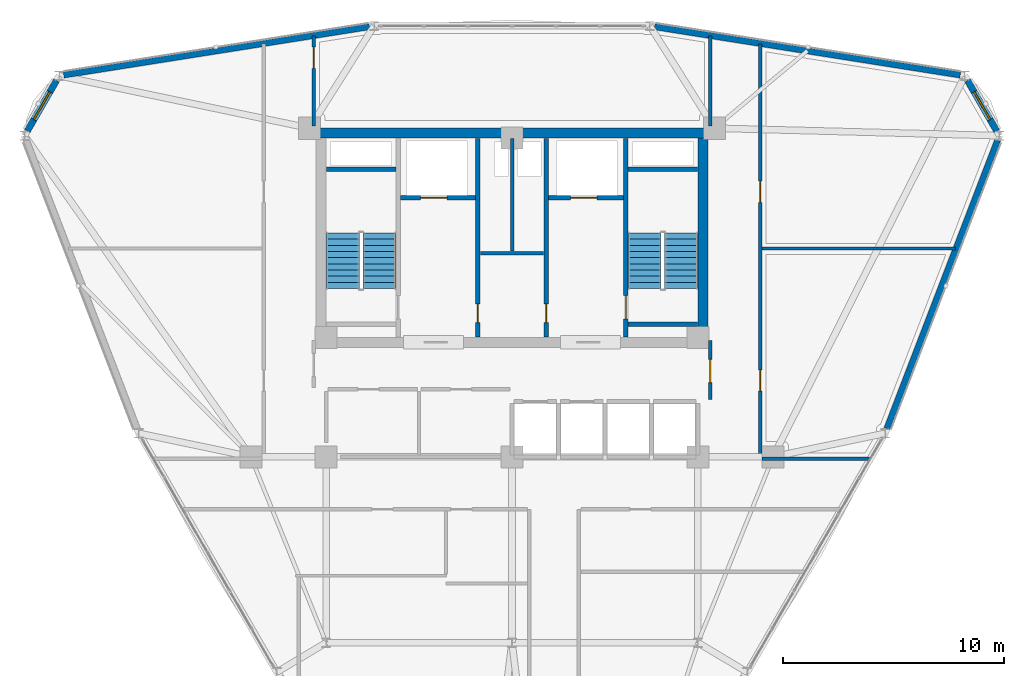
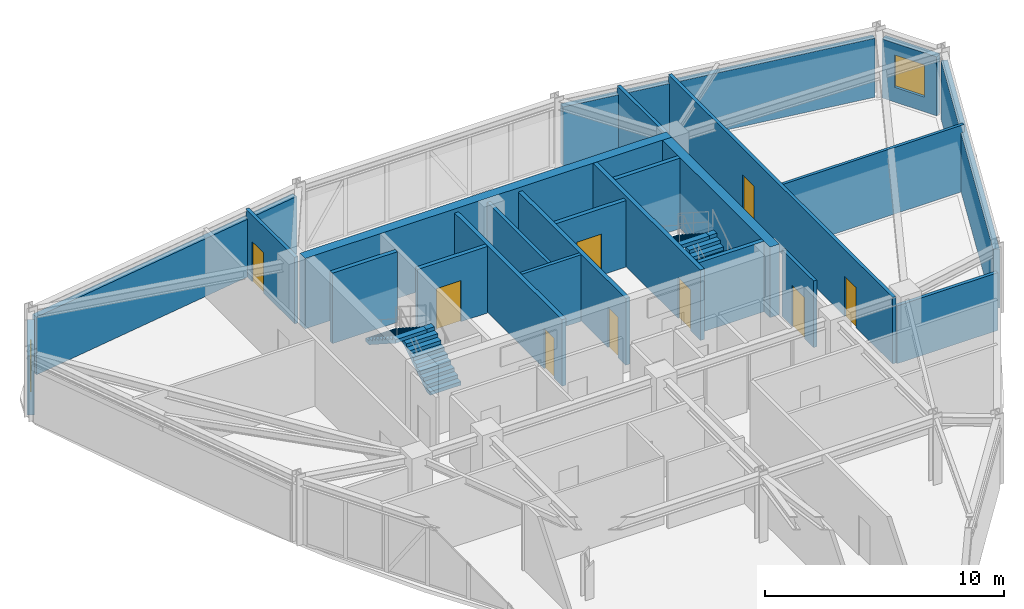
# One storey, part 11 of 14: 23 walls, 9 doors, 4 stair flights, 2 windows, 11 openings, 2 elements without a shape of their own.
"""IFC4 building model written with IfcOpenShell, lengths in metres."""

from ifc_helpers import new_model, si_unit, derived_unit, direction, frame, frame_2d, origin, place, context, subcontext, project, spatial, polyline, rectangle, outline, extrude, material, layer, layer_set, type_object, element, fill, aggregate, save


model = new_model("IFC4")

# Units and contexts
model_context = context("Model", 3, precision=1e-05, world=origin(), true_north=direction((0.0, 1.0)))
body_context = subcontext(model_context, "Body", "Model", "MODEL_VIEW")
ifc_project = project(units=[si_unit("LENGTHUNIT", "METRE"), si_unit("AREAUNIT", "SQUARE_METRE"), si_unit("VOLUMEUNIT", "CUBIC_METRE"), si_unit("PLANEANGLEUNIT", "RADIAN"), si_unit("MASSUNIT", "GRAM", prefix="KILO"), derived_unit("THERMALTRANSMITTANCEUNIT", [(si_unit("POWERUNIT", "WATT"), 1), (si_unit("LENGTHUNIT", "METRE"), -2), (si_unit("THERMODYNAMICTEMPERATUREUNIT", "KELVIN"), -1)])], contexts=[model_context])

# Site, building, storey
site_placement = place(None, origin())
site = spatial("IfcSite", under=ifc_project, at=site_placement, CompositionType="ELEMENT")
building_placement = place(site_placement, origin())
building = spatial("IfcBuilding", under=site, at=building_placement, Name="Korsvarv Bourse and Concert Hall", CompositionType="ELEMENT")
storey_placement = place(building_placement, frame((0.0, 0.0, 193.800048828125)))
storey = spatial("IfcBuildingStorey", under=building, at=storey_placement, Name="L50", CompositionType="ELEMENT", Elevation=193.800048828125)

# Wall
ifc_material_1 = material(Name="Concrete C50/60", Category="concrete")
ifc_layer_1 = layer(ifc_material_1, 0.3798828125)
ifc_layer_set_1 = layer_set([ifc_layer_1], Name="Concrete C50/60")
wall_type_1 = type_object("IfcWallType", Name="WL-CORE-380", PredefinedType="SHEAR", material=ifc_layer_set_1)
wall_1_placement = place(storey_placement, frame((27.610107421875, 45.39990234375, 0.0), z_axis=(0.0, 0.0, 1.0), x_axis=(1.0, 0.0, 0.0)))
element("IfcWall", 1, at=wall_1_placement, inside=storey, type_object=wall_type_1, Name="L50 stair shaft structural wall W-L50-ST1-N", PredefinedType="SHEAR", context=body_context, shape_type="SweptSolid", body=[
    extrude(rectangle(XDim=3.139892578125, YDim=0.199951171875, at=frame_2d((1.56982421875, 0.0))), origin(), (0.0, 0.0, 1.0), 3.599853515625),
])

# Wall, opening, door
wall_2_placement = place(storey_placement, frame((41.139892578125, 37.81005859375, 0.0), z_axis=(0.0, 0.0, 1.0), x_axis=(0.0, 1.0, 0.0)))
wall_2 = element("IfcWall", 2, at=wall_2_placement, inside=storey, type_object=wall_type_1, Name="L50 stair shaft structural wall W-L50-ST2-W", PredefinedType="SHEAR", context=body_context, shape_type="SweptSolid", body=[
    extrude(rectangle(XDim=8.97998046875, YDim=0.199951171875, at=frame_2d((4.489990234375, 0.0))), origin(), (0.0, 0.0, 1.0), 3.599853515625),
])
opening_1_placement = place(wall_2_placement, frame((0.820068359375, 0.0, 0.0)))
opening_1 = element("IfcOpeningElement", 3, at=opening_1_placement, cuts=wall_2, Name="Opening D-01", PredefinedType="OPENING", context=body_context, shape_type="SweptSolid", body=[
    extrude(rectangle(XDim=1.050048828125, YDim=2.10009765625, at=frame_2d((0.52490234375, 1.050048828125))), frame((0.0, 0.10986328125, 0.0), z_axis=(0.0, -1.0, 0.0), x_axis=(1.0, 0.0, 0.0)), (0.0, 0.0, 1.0), 0.219970703125),
])
ifc_material_2 = material(Name="Steel S355 fire door", Category="steel")
door_type_1 = type_object("IfcDoorType", Name="DR-FD60", OperationType="NOTDEFINED", PredefinedType="DOOR", material=ifc_material_2)
door_1_placement = place(opening_1_placement, frame((1.050048828125, 0.0, 0.0), z_axis=(0.0, 0.0, 1.0), x_axis=(-1.0, 0.0, 0.0)))
door_1 = element("IfcDoor", 4, at=door_1_placement, inside=storey, type_object=door_type_1, Name="L50 interior door DR-L50-ST2", OperationType="SINGLE_SWING_RIGHT", OverallHeight=2.10009765625, OverallWidth=1.050048828125, PredefinedType="DOOR", context=body_context, shape_type="SweptSolid", body=[
    extrude(rectangle(XDim=1.050048828125, YDim=2.10009765625, at=frame_2d((0.52490234375, 1.050048828125))), frame((0.0, 0.02490234375, 0.0), z_axis=(0.0, -1.0, 0.0), x_axis=(1.0, 0.0, 0.0)), (0.0, 0.0, 1.0), 0.050048828125),
])
fill(opening_1, door_1)

# Walls
for number, where, z_axis, x_axis, name in (
    (5, (41.25, 45.39990234375, 0.0), (0.0, 0.0, 1.0), (1.0, 0.0, 0.0), "L50 stair shaft structural wall W-L50-ST2-N"),
    (6, (41.25, 38.39990234375, 0.0), (0.0, 0.0, 1.0), (1.0, 0.0, 0.0), "L50 stair shaft structural wall W-L50-ST2-S"),
):
    element("IfcWall", number, at=place(storey_placement, frame(where, z_axis=z_axis, x_axis=x_axis)), inside=storey, type_object=wall_type_1, Name=name, PredefinedType="SHEAR", context=body_context, shape_type="SweptSolid", body=[
        extrude(rectangle(XDim=3.139892578125, YDim=0.199951171875, at=frame_2d((1.56982421875, 0.0))), origin(), (0.0, 0.0, 1.0), 3.599853515625),
    ])
ifc_material_3 = material(Name="Concrete C55/67", Category="concrete")
ifc_layer_2 = layer(ifc_material_3, 0.449951171875)
ifc_layer_set_2 = layer_set([ifc_layer_2], Name="Concrete C55/67")
wall_type_2 = type_object("IfcWallType", Name="WL-CORE-450", PredefinedType="SHEAR", material=ifc_layer_set_2)
wall_3_placement = place(storey_placement, frame((27.14990234375, 47.02490234375, 0.0), z_axis=(0.0, 0.0, 1.0), x_axis=(1.0, 0.0, 0.0)))
element("IfcWall", 7, at=wall_3_placement, inside=storey, type_object=wall_type_2, Name="L50 North Core Shear Wall", PredefinedType="SHEAR", context=body_context, shape_type="SweptSolid", body=[
    extrude(rectangle(XDim=17.7001953125, YDim=0.449951171875, at=frame_2d((8.85009765625, 0.0))), origin(), (0.0, 0.0, 1.0), 3.599853515625),
])
wall_4_placement = place(storey_placement, frame((44.625, 37.800048828125, 0.0), z_axis=(0.0, 0.0, 1.0), x_axis=(0.0, 1.0, 0.0)))
element("IfcWall", 8, at=wall_4_placement, inside=storey, type_object=wall_type_2, Name="L50 East Core Shear Wall", PredefinedType="SHEAR", context=body_context, shape_type="SweptSolid", body=[
    extrude(rectangle(XDim=9.0, YDim=0.449951171875, at=frame_2d((4.5, 0.0))), origin(), (0.0, 0.0, 1.0), 3.599853515625),
])

# Wall, opening, window
ifc_material_4 = material(Name="Precast concrete C45/55 with terracotta rainscreen", Category="concrete")
ifc_layer_3 = layer(ifc_material_4, 0.300048828125)
ifc_layer_set_3 = layer_set([ifc_layer_3], Name="Precast concrete C45/55 with terracotta rainscreen")
wall_type_3 = type_object("IfcWallType", Name="WL-EXT-TC1", PredefinedType="SOLIDWALL", material=ifc_layer_set_3)
wall_5_placement = place(storey_placement, frame((57.9072265625, 47.12548828125, 0.0), z_axis=(0.0, 0.0, 1.0), x_axis=(-0.500061666259, 0.865989797826, 0.0)))
wall_5 = element("IfcWall", 9, at=wall_5_placement, inside=storey, type_object=wall_type_3, Name="L50 terracotta exterior wall EW-L50-B01", PredefinedType="SOLIDWALL", context=body_context, shape_type="SweptSolid", body=[
    extrude(rectangle(XDim=2.637451171875, YDim=0.300048828125, at=frame_2d((1.31884765625, 0.0))), origin(), (0.0, 0.0, 1.0), 3.010009765625),
])
opening_2_placement = place(wall_5_placement, frame((0.59375, 0.0, 0.75)))
opening_2 = element("IfcOpeningElement", 10, at=opening_2_placement, cuts=wall_5, Name="Opening W-02", PredefinedType="OPENING", context=body_context, shape_type="SweptSolid", body=[
    extrude(rectangle(XDim=1.449951171875, YDim=1.64990234375, at=frame_2d((0.72509765625, 0.824951171875))), frame((0.0, 0.16015625, 0.0), z_axis=(0.0, -1.0, 0.0), x_axis=(1.0, 0.0, 0.0)), (0.0, 0.0, 1.0), 0.320068359375),
])
ifc_material_5 = material(Name="Thermally broken aluminium frame with triple low-E glass", Category="glass")
window_type = type_object("IfcWindowType", Name="WIN-TW2", PartitioningType="SINGLE_PANEL", PredefinedType="WINDOW", material=ifc_material_5)
window_1_placement = place(opening_2_placement, origin())
window_1 = element("IfcWindow", 11, at=window_1_placement, inside=storey, type_object=window_type, Name="L50 punched facade window W-02", OverallHeight=1.64990234375, OverallWidth=1.449951171875, PartitioningType="SINGLE_PANEL", PredefinedType="WINDOW", context=body_context, shape_type="SweptSolid", body=[
    extrude(rectangle(XDim=1.449951171875, YDim=1.64990234375, at=frame_2d((0.72509765625, 0.824951171875))), frame((0.0, 0.030029296875, 0.0), z_axis=(0.0, -1.0, 0.0), x_axis=(1.0, 0.0, 0.0)), (0.0, 0.0, 1.0), 0.06005859375),
])
fill(opening_2, window_1)

wall_6_placement = place(storey_placement, frame((15.41162109375, 49.409423828125, 0.0), z_axis=(0.0, 0.0, 1.0), x_axis=(-0.500061666259, -0.865989797826, 0.0)))
wall_6 = element("IfcWall", 12, at=wall_6_placement, inside=storey, type_object=wall_type_3, Name="L50 terracotta exterior wall EW-L50-B05", PredefinedType="SOLIDWALL", context=body_context, shape_type="SweptSolid", body=[
    extrude(rectangle(XDim=2.637451171875, YDim=0.300048828125, at=frame_2d((1.31884765625, 0.0))), origin(), (0.0, 0.0, 1.0), 3.010009765625),
])
opening_3_placement = place(wall_6_placement, frame((0.59375, 0.0, 0.75)))
opening_3 = element("IfcOpeningElement", 13, at=opening_3_placement, cuts=wall_6, Name="Opening W-02", PredefinedType="OPENING", context=body_context, shape_type="SweptSolid", body=[
    extrude(rectangle(XDim=1.449951171875, YDim=1.64990234375, at=frame_2d((0.72509765625, 0.824951171875))), frame((0.0, 0.16015625, 0.0), z_axis=(0.0, -1.0, 0.0), x_axis=(1.0, 0.0, 0.0)), (0.0, 0.0, 1.0), 0.320068359375),
])
window_2_placement = place(opening_3_placement, origin())
window_2 = element("IfcWindow", 14, at=window_2_placement, inside=storey, type_object=window_type, Name="L50 punched facade window W-02", OverallHeight=1.64990234375, OverallWidth=1.449951171875, PartitioningType="SINGLE_PANEL", PredefinedType="WINDOW", context=body_context, shape_type="SweptSolid", body=[
    extrude(rectangle(XDim=1.449951171875, YDim=1.64990234375, at=frame_2d((0.72509765625, 0.824951171875))), frame((0.0, 0.030029296875, 0.0), z_axis=(0.0, -1.0, 0.0), x_axis=(1.0, 0.0, 0.0)), (0.0, 0.0, 1.0), 0.06005859375),
])
fill(opening_3, window_2)

# Walls
ifc_material_6 = material(Name="Precast concrete C45/55 with fluted terracotta pier", Category="concrete")
ifc_layer_4 = layer(ifc_material_6, 0.280029296875)
ifc_layer_set_4 = layer_set([ifc_layer_4], Name="Precast concrete C45/55 with fluted terracotta pier")
wall_type_4 = type_object("IfcWallType", Name="WL-EXT-TC2", PredefinedType="SOLIDWALL", material=ifc_layer_set_4)
wall_7_placement = place(storey_placement, frame((56.257568359375, 49.655517578125, 0.0), z_axis=(0.0, 0.0, 1.0), x_axis=(-0.987743003355, 0.15608894683, 0.0)))
element("IfcWall", 15, at=wall_7_placement, inside=storey, type_object=wall_type_4, Name="L50 terracotta exterior wall EW-L50-B02", PredefinedType="SOLIDWALL", context=body_context, shape_type="SweptSolid", body=[
    extrude(rectangle(XDim=13.98779296875, YDim=0.280029296875, at=frame_2d((6.993896484375, 0.0))), origin(), (0.0, 0.0, 1.0), 3.010009765625),
])
wall_8_placement = place(storey_placement, frame((29.558837890625, 51.8388671875, 0.0), z_axis=(0.0, 0.0, 1.0), x_axis=(-0.987743003355, -0.15608894683, 0.0)))
element("IfcWall", 16, at=wall_8_placement, inside=storey, type_object=wall_type_4, Name="L50 terracotta exterior wall EW-L50-B04", PredefinedType="SOLIDWALL", context=body_context, shape_type="SweptSolid", body=[
    extrude(rectangle(XDim=13.98779296875, YDim=0.280029296875, at=frame_2d((6.993896484375, 0.0))), origin(), (0.0, 0.0, 1.0), 2.949951171875),
])
wall_9_placement = place(storey_placement, frame((52.943603515625, 33.67529296875, 0.0), z_axis=(0.0, 0.0, 1.0), x_axis=(0.358703519473, 0.933451544065, 0.0)))
element("IfcWall", 17, at=wall_9_placement, inside=storey, type_object=wall_type_4, Name="L50 terracotta exterior wall EW-L50-B12", PredefinedType="SOLIDWALL", context=body_context, shape_type="SweptSolid", body=[
    extrude(rectangle(XDim=13.95263671875, YDim=0.280029296875, at=frame_2d((6.976318359375, 0.0))), origin(), (0.0, 0.0, 1.0), 3.010009765625),
])

# Wall, opening, door
ifc_material_7 = material(Name="Reinforced concrete blockwork C35/45 fire wall", Category="concrete")
ifc_layer_5 = layer(ifc_material_7, 0.199951171875)
ifc_layer_set_5 = layer_set([ifc_layer_5], Name="Reinforced concrete blockwork C35/45 fire wall")
wall_type_5 = type_object("IfcWallType", Name="WL-INT-EI120", PredefinedType="PARTITIONING", material=ifc_layer_set_5)
wall_10_placement = place(storey_placement, frame((30.969970703125, 44.10009765625, 0.0), z_axis=(0.0, 0.0, 1.0), x_axis=(1.0, 0.0, 0.0)))
wall_10 = element("IfcWall", 18, at=wall_10_placement, inside=storey, type_object=wall_type_5, Name="L50 interior partition wall W-L50-FF1-S", PredefinedType="PARTITIONING", context=body_context, shape_type="SweptSolid", body=[
    extrude(rectangle(XDim=3.380126953125, YDim=0.199951171875, at=frame_2d((1.68994140625, 0.0))), origin(), (0.0, 0.0, 1.0), 3.39990234375),
])
opening_4_placement = place(wall_10_placement, frame((0.89990234375, 0.0, 0.0)))
opening_4 = element("IfcOpeningElement", 19, at=opening_4_placement, cuts=wall_10, Name="Opening LD-1", PredefinedType="OPENING", context=body_context, shape_type="SweptSolid", body=[
    extrude(rectangle(XDim=1.199951171875, YDim=2.10009765625, at=frame_2d((0.60009765625, 1.050048828125))), frame((0.0, 0.10986328125, 0.0), z_axis=(0.0, -1.0, 0.0), x_axis=(1.0, 0.0, 0.0)), (0.0, 0.0, 1.0), 0.219970703125),
])
ifc_material_8 = material(Name="Stainless Steel S355 firefighting lift landing door", Category="steel")
door_type_2 = type_object("IfcDoorType", Name="DR-LIFT-FF", OperationType="DOUBLE_DOOR_SLIDING", PredefinedType="DOOR", material=ifc_material_8)
door_2_placement = place(opening_4_placement, origin())
door_2 = element("IfcDoor", 20, at=door_2_placement, inside=storey, type_object=door_type_2, Name="L50 lift sliding landing door LD-L50-FF1", OperationType="DOUBLE_DOOR_SLIDING", OverallHeight=2.10009765625, OverallWidth=1.199951171875, PredefinedType="DOOR", context=body_context, shape_type="SweptSolid", body=[
    extrude(rectangle(XDim=1.199951171875, YDim=2.10009765625, at=frame_2d((0.60009765625, 1.050048828125))), frame((0.0, 0.02490234375, 0.0), z_axis=(0.0, -1.0, 0.0), x_axis=(1.0, 0.0, 0.0)), (0.0, 0.0, 1.0), 0.050048828125),
])
fill(opening_4, door_2)

wall_11_placement = place(storey_placement, frame((37.64990234375, 44.10009765625, 0.0), z_axis=(0.0, 0.0, 1.0), x_axis=(1.0, 0.0, 0.0)))
wall_11 = element("IfcWall", 21, at=wall_11_placement, inside=storey, type_object=wall_type_5, Name="L50 interior partition wall W-L50-FF2-S", PredefinedType="PARTITIONING", context=body_context, shape_type="SweptSolid", body=[
    extrude(rectangle(XDim=3.380126953125, YDim=0.199951171875, at=frame_2d((1.68994140625, 0.0))), origin(), (0.0, 0.0, 1.0), 3.39990234375),
])
opening_5_placement = place(wall_11_placement, frame((1.0, 0.0, 0.0)))
opening_5 = element("IfcOpeningElement", 22, at=opening_5_placement, cuts=wall_11, Name="Opening LD-1", PredefinedType="OPENING", context=body_context, shape_type="SweptSolid", body=[
    extrude(rectangle(XDim=1.199951171875, YDim=2.10009765625, at=frame_2d((0.60009765625, 1.050048828125))), frame((0.0, 0.10986328125, 0.0), z_axis=(0.0, -1.0, 0.0), x_axis=(1.0, 0.0, 0.0)), (0.0, 0.0, 1.0), 0.219970703125),
])
door_3_placement = place(opening_5_placement, origin())
door_3 = element("IfcDoor", 23, at=door_3_placement, inside=storey, type_object=door_type_2, Name="L50 lift sliding landing door LD-L50-FF2", OperationType="DOUBLE_DOOR_SLIDING", OverallHeight=2.10009765625, OverallWidth=1.199951171875, PredefinedType="DOOR", context=body_context, shape_type="SweptSolid", body=[
    extrude(rectangle(XDim=1.199951171875, YDim=2.10009765625, at=frame_2d((0.60009765625, 1.050048828125))), frame((0.0, 0.02490234375, 0.0), z_axis=(0.0, -1.0, 0.0), x_axis=(1.0, 0.0, 0.0)), (0.0, 0.0, 1.0), 0.050048828125),
])
fill(opening_5, door_3)

wall_12_placement = place(storey_placement, frame((34.4599609375, 37.81005859375, 0.0), z_axis=(0.0, 0.0, 1.0), x_axis=(0.0, 1.0, 0.0)))
wall_12 = element("IfcWall", 24, at=wall_12_placement, inside=storey, type_object=wall_type_5, Name="L50 interior partition wall W-L50-CSB-W", PredefinedType="PARTITIONING", context=body_context, shape_type="SweptSolid", body=[
    extrude(rectangle(XDim=8.97998046875, YDim=0.199951171875, at=frame_2d((4.489990234375, 0.0))), origin(), (0.0, 0.0, 1.0), 3.39990234375),
])
opening_6_placement = place(wall_12_placement, frame((0.64990234375, 0.0, 0.0)))
opening_6 = element("IfcOpeningElement", 25, at=opening_6_placement, cuts=wall_12, Name="Opening D-05", PredefinedType="OPENING", context=body_context, shape_type="SweptSolid", body=[
    extrude(rectangle(XDim=0.85009765625, YDim=2.050048828125, at=frame_2d((0.425048828125, 1.02490234375))), frame((0.0, 0.10986328125, 0.0), z_axis=(0.0, -1.0, 0.0), x_axis=(1.0, 0.0, 0.0)), (0.0, 0.0, 1.0), 0.219970703125),
])
door_type_3 = type_object("IfcDoorType", Name="DR-FD60-850X2050", OperationType="NOTDEFINED", PredefinedType="DOOR", material=ifc_material_2)
door_4_placement = place(opening_6_placement, frame((0.85009765625, 0.0, 0.0), z_axis=(0.0, 0.0, 1.0), x_axis=(-1.0, 0.0, 0.0)))
door_4 = element("IfcDoor", 26, at=door_4_placement, inside=storey, type_object=door_type_3, Name="L50 interior door DR-L50-CSB1", OperationType="SINGLE_SWING_LEFT", OverallHeight=2.050048828125, OverallWidth=0.85009765625, PredefinedType="DOOR", context=body_context, shape_type="SweptSolid", body=[
    extrude(rectangle(XDim=0.85009765625, YDim=2.050048828125, at=frame_2d((0.425048828125, 1.02490234375))), frame((0.0, 0.02490234375, 0.0), z_axis=(0.0, -1.0, 0.0), x_axis=(1.0, 0.0, 0.0)), (0.0, 0.0, 1.0), 0.050048828125),
])
fill(opening_6, door_4)

wall_13_placement = place(storey_placement, frame((37.5400390625, 37.81005859375, 0.0), z_axis=(0.0, 0.0, 1.0), x_axis=(0.0, 1.0, 0.0)))
wall_13 = element("IfcWall", 27, at=wall_13_placement, inside=storey, type_object=wall_type_5, Name="L50 interior partition wall W-L50-CSB-E", PredefinedType="PARTITIONING", context=body_context, shape_type="SweptSolid", body=[
    extrude(rectangle(XDim=8.97998046875, YDim=0.199951171875, at=frame_2d((4.489990234375, 0.0))), origin(), (0.0, 0.0, 1.0), 3.39990234375),
])
opening_7_placement = place(wall_13_placement, frame((0.64990234375, 0.0, 0.0)))
opening_7 = element("IfcOpeningElement", 28, at=opening_7_placement, cuts=wall_13, Name="Opening D-05", PredefinedType="OPENING", context=body_context, shape_type="SweptSolid", body=[
    extrude(rectangle(XDim=0.85009765625, YDim=2.050048828125, at=frame_2d((0.425048828125, 1.02490234375))), frame((0.0, 0.10986328125, 0.0), z_axis=(0.0, -1.0, 0.0), x_axis=(1.0, 0.0, 0.0)), (0.0, 0.0, 1.0), 0.219970703125),
])
door_5_placement = place(opening_7_placement, origin())
door_5 = element("IfcDoor", 29, at=door_5_placement, inside=storey, type_object=door_type_3, Name="L50 interior door DR-L50-CSB2", OperationType="SINGLE_SWING_RIGHT", OverallHeight=2.050048828125, OverallWidth=0.85009765625, PredefinedType="DOOR", context=body_context, shape_type="SweptSolid", body=[
    extrude(rectangle(XDim=0.85009765625, YDim=2.050048828125, at=frame_2d((0.425048828125, 1.02490234375))), frame((0.0, 0.02490234375, 0.0), z_axis=(0.0, -1.0, 0.0), x_axis=(1.0, 0.0, 0.0)), (0.0, 0.0, 1.0), 0.050048828125),
])
fill(opening_7, door_5)

# Walls
ifc_material_9 = material(Name="Double-stud fire-rated acoustic partition", Category="gypsum")
ifc_layer_6 = layer(ifc_material_9, 0.159912109375)
ifc_layer_set_6 = layer_set([ifc_layer_6], Name="Double-stud fire-rated acoustic partition")
wall_type_6 = type_object("IfcWallType", Name="WL-INT-EI60", PredefinedType="PARTITIONING", material=ifc_layer_set_6)
wall_14_placement = place(storey_placement, frame((34.570068359375, 41.60009765625, 0.0), z_axis=(0.0, 0.0, 1.0), x_axis=(1.0, 0.0, 0.0)))
element("IfcWall", 30, at=wall_14_placement, inside=storey, type_object=wall_type_6, Name="L50 interior partition wall W-L50-K1", PredefinedType="PARTITIONING", context=body_context, shape_type="SweptSolid", body=[
    extrude(rectangle(XDim=2.85986328125, YDim=0.159912109375, at=frame_2d((1.429931640625, 0.0))), origin(), (0.0, 0.0, 1.0), 3.39990234375),
])
wall_15_placement = place(storey_placement, frame((36.0048828125, 41.68994140625, 0.0), z_axis=(0.0, 0.0, 1.0), x_axis=(0.0, 1.0, 0.0)))
element("IfcWall", 31, at=wall_15_placement, inside=storey, type_object=wall_type_6, Name="L50 interior partition wall W-L50-K2", PredefinedType="PARTITIONING", context=body_context, shape_type="SweptSolid", body=[
    extrude(rectangle(XDim=5.10009765625, YDim=0.159912109375, at=frame_2d((2.550048828125, 0.0))), origin(), (0.0, 0.0, 1.0), 3.39990234375),
])

# Wall, opening, door
wall_16_placement = place(storey_placement, frame((44.9599609375, 35.0, 0.0), z_axis=(0.0, 0.0, 1.0), x_axis=(0.0, 1.0, 0.0)))
wall_16 = element("IfcWall", 32, at=wall_16_placement, inside=storey, type_object=wall_type_6, Name="L50 interior partition wall W-L50-LOB-E", PredefinedType="PARTITIONING", context=body_context, shape_type="SweptSolid", body=[
    extrude(rectangle(XDim=2.64990234375, YDim=0.159912109375, at=frame_2d((1.324951171875, 0.0))), origin(), (0.0, 0.0, 1.0), 3.39990234375),
])
opening_8_placement = place(wall_16_placement, frame((0.75, 0.0, 0.0)))
opening_8 = element("IfcOpeningElement", 33, at=opening_8_placement, cuts=wall_16, Name="Opening D-01", PredefinedType="OPENING", context=body_context, shape_type="SweptSolid", body=[
    extrude(rectangle(XDim=1.050048828125, YDim=2.10009765625, at=frame_2d((0.52490234375, 1.050048828125))), frame((0.0, 0.08984375, 0.0), z_axis=(0.0, -1.0, 0.0), x_axis=(1.0, 0.0, 0.0)), (0.0, 0.0, 1.0), 0.179931640625),
])
door_6_placement = place(opening_8_placement, origin())
door_6 = element("IfcDoor", 34, at=door_6_placement, inside=storey, type_object=door_type_1, Name="L50 interior door DR-L50-LOBE", OperationType="SINGLE_SWING_RIGHT", OverallHeight=2.10009765625, OverallWidth=1.050048828125, PredefinedType="DOOR", context=body_context, shape_type="SweptSolid", body=[
    extrude(rectangle(XDim=1.050048828125, YDim=2.10009765625, at=frame_2d((0.52490234375, 1.050048828125))), frame((0.0, 0.02490234375, 0.0), z_axis=(0.0, -1.0, 0.0), x_axis=(1.0, 0.0, 0.0)), (0.0, 0.0, 1.0), 0.050048828125),
])
fill(opening_8, door_6)

# Wall, openings, doors
wall_17_placement = place(storey_placement, frame((47.22509765625, 32.31005859375, 0.0), z_axis=(0.0, 0.0, 1.0), x_axis=(0.0, 1.0, 0.0)))
wall_17 = element("IfcWall", 35, at=wall_17_placement, inside=storey, type_object=wall_type_6, Name="L50 interior partition wall W-L50-TCOR-01", PredefinedType="PARTITIONING", context=body_context, shape_type="SweptSolid", body=[
    extrude(rectangle(XDim=18.7529296875, YDim=0.159912109375, at=frame_2d((9.37646484375, 0.0))), origin(), (0.0, 0.0, 1.0), 3.39990234375),
])
opening_9_placement = place(wall_17_placement, frame((3.060302734375, 0.0, 0.0)))
opening_9 = element("IfcOpeningElement", 36, at=opening_9_placement, cuts=wall_17, Name="Opening D-02", PredefinedType="OPENING", context=body_context, shape_type="SweptSolid", body=[
    extrude(rectangle(XDim=0.949951171875, YDim=2.050048828125, at=frame_2d((0.47509765625, 1.02490234375))), frame((0.0, 0.08984375, 0.0), z_axis=(0.0, -1.0, 0.0), x_axis=(1.0, 0.0, 0.0)), (0.0, 0.0, 1.0), 0.179931640625),
])
opening_10_placement = place(wall_17_placement, frame((11.593017578125, 0.0, 0.0)))
opening_10 = element("IfcOpeningElement", 37, at=opening_10_placement, cuts=wall_17, Name="Opening D-02", PredefinedType="OPENING", context=body_context, shape_type="SweptSolid", body=[
    extrude(rectangle(XDim=0.949951171875, YDim=2.050048828125, at=frame_2d((0.47509765625, 1.02490234375))), frame((0.0, 0.08984375, 0.0), z_axis=(0.0, -1.0, 0.0), x_axis=(1.0, 0.0, 0.0)), (0.0, 0.0, 1.0), 0.179931640625),
])
ifc_material_10 = material(Name="Timber and steel acoustic fire door", Category="wood")
door_type_4 = type_object("IfcDoorType", Name="DR-FD30", OperationType="NOTDEFINED", PredefinedType="DOOR", material=ifc_material_10)
door_7_placement = place(opening_9_placement, origin())
door_7 = element("IfcDoor", 38, at=door_7_placement, inside=storey, type_object=door_type_4, Name="L50 interior door DR-L50-TCOR-FN81", OperationType="SINGLE_SWING_LEFT", OverallHeight=2.050048828125, OverallWidth=0.949951171875, PredefinedType="DOOR", context=body_context, shape_type="SweptSolid", body=[
    extrude(rectangle(XDim=0.949951171875, YDim=2.050048828125, at=frame_2d((0.47509765625, 1.02490234375))), frame((0.0, 0.02490234375, 0.0), z_axis=(0.0, -1.0, 0.0), x_axis=(1.0, 0.0, 0.0)), (0.0, 0.0, 1.0), 0.050048828125),
])
fill(opening_9, door_7)
door_8_placement = place(opening_10_placement, origin())
door_8 = element("IfcDoor", 39, at=door_8_placement, inside=storey, type_object=door_type_4, Name="L50 interior door DR-L50-TCOR-RM22", OperationType="SINGLE_SWING_RIGHT", OverallHeight=2.050048828125, OverallWidth=0.949951171875, PredefinedType="DOOR", context=body_context, shape_type="SweptSolid", body=[
    extrude(rectangle(XDim=0.949951171875, YDim=2.050048828125, at=frame_2d((0.47509765625, 1.02490234375))), frame((0.0, 0.02490234375, 0.0), z_axis=(0.0, -1.0, 0.0), x_axis=(1.0, 0.0, 0.0)), (0.0, 0.0, 1.0), 0.050048828125),
])
fill(opening_10, door_8)

# Wall
wall_18_placement = place(storey_placement, frame((47.306884765625, 32.31494140625, 0.0), z_axis=(0.0, 0.0, 1.0), x_axis=(1.0, 0.0, 0.0)))
element("IfcWall", 40, at=wall_18_placement, inside=storey, type_object=wall_type_6, Name="L50 interior partition wall W-L50-TCOR-07", PredefinedType="PARTITIONING", context=body_context, shape_type="SweptSolid", body=[
    extrude(rectangle(XDim=4.872802734375, YDim=0.159912109375, at=frame_2d((2.4365234375, 0.0))), origin(), (0.0, 0.0, 1.0), 2.949951171875),
])

# Wall, opening, door
wall_19_placement = place(storey_placement, frame((27.034912109375, 47.340087890625, 0.0), z_axis=(0.0, 0.0, 1.0), x_axis=(0.0, 1.0, 0.0)))
wall_19 = element("IfcWall", 41, at=wall_19_placement, inside=storey, type_object=wall_type_6, Name="L50 interior partition wall W-L50-TCOR-09", PredefinedType="PARTITIONING", context=body_context, shape_type="SweptSolid", body=[
    extrude(rectangle(XDim=4.079833984375, YDim=0.159912109375, at=frame_2d((2.0400390625, 0.0))), origin(), (0.0, 0.0, 1.0), 3.39990234375),
])
opening_11_placement = place(wall_19_placement, frame((2.618408203125, 0.0, 0.0)))
opening_11 = element("IfcOpeningElement", 42, at=opening_11_placement, cuts=wall_19, Name="Opening D-02", PredefinedType="OPENING", context=body_context, shape_type="SweptSolid", body=[
    extrude(rectangle(XDim=0.949951171875, YDim=2.050048828125, at=frame_2d((0.47509765625, 1.02490234375))), frame((0.0, 0.08984375, 0.0), z_axis=(0.0, -1.0, 0.0), x_axis=(1.0, 0.0, 0.0)), (0.0, 0.0, 1.0), 0.179931640625),
])
door_9_placement = place(opening_11_placement, origin())
door_9 = element("IfcDoor", 43, at=door_9_placement, inside=storey, type_object=door_type_4, Name="L50 interior door DR-L50-TCOR-FN55", OperationType="SINGLE_SWING_RIGHT", OverallHeight=2.050048828125, OverallWidth=0.949951171875, PredefinedType="DOOR", context=body_context, shape_type="SweptSolid", body=[
    extrude(rectangle(XDim=0.949951171875, YDim=2.050048828125, at=frame_2d((0.47509765625, 1.02490234375))), frame((0.0, 0.02490234375, 0.0), z_axis=(0.0, -1.0, 0.0), x_axis=(1.0, 0.0, 0.0)), (0.0, 0.0, 1.0), 0.050048828125),
])
fill(opening_11, door_9)

# Walls
wall_20_placement = place(storey_placement, frame((44.965087890625, 47.340087890625, 0.0), z_axis=(0.0, 0.0, 1.0), x_axis=(0.0, 1.0, 0.0)))
element("IfcWall", 44, at=wall_20_placement, inside=storey, type_object=wall_type_6, Name="L50 interior partition wall W-L50-TCOR-10", PredefinedType="PARTITIONING", context=body_context, shape_type="SweptSolid", body=[
    extrude(rectangle(XDim=4.079833984375, YDim=0.159912109375, at=frame_2d((2.0400390625, 0.0))), origin(), (0.0, 0.0, 1.0), 3.39990234375),
])
ifc_material_11 = material(Name="Insulated steel-stud office acoustic partition", Category="gypsum")
ifc_layer_7 = layer(ifc_material_11, 0.139892578125)
ifc_layer_set_7 = layer_set([ifc_layer_7], Name="Insulated steel-stud office acoustic partition")
wall_type_7 = type_object("IfcWallType", Name="WL-INT-P1", PredefinedType="PARTITIONING", material=ifc_layer_set_7)
wall_21_placement = place(storey_placement, frame((47.306884765625, 41.804931640625, 0.0), z_axis=(0.0, 0.0, 1.0), x_axis=(1.0, 0.0, 0.0)))
element("IfcWall", 45, at=wall_21_placement, inside=storey, type_object=wall_type_7, Name="L50 interior partition wall W-L50-TCOR-13", PredefinedType="PARTITIONING", context=body_context, shape_type="SweptSolid", body=[
    extrude(rectangle(XDim=8.74072265625, YDim=0.139892578125, at=frame_2d((4.370361328125, 0.0))), origin(), (0.0, 0.0, 1.0), 3.39990234375),
])

# Stair, stair flights
ifc_material_12 = material(Name="Precast concrete C45/55", Category="concrete")
stair_type = type_object("IfcStairType", Name="STR-TYPE-04", PredefinedType="HALF_TURN_STAIR", material=ifc_material_12)
stair_1_placement = place(storey_placement, origin())
stair_1 = element("IfcStair", 46, at=stair_1_placement, inside=storey, type_object=stair_type, Name="L50 Tower West Exit Stair ST-T1", PredefinedType="HALF_TURN_STAIR")
stair_flight_type = type_object("IfcStairFlightType", Name="FLT-TYPE-04", PredefinedType="STRAIGHT", material=ifc_material_12)
stair_flight_1_placement = place(storey_placement, frame((30.010009765625, 40.0, 0.0), z_axis=(0.0, 0.0, 1.0), x_axis=(0.0, 1.0, 0.0)))
stair_flight_1 = element("IfcStairFlight", 47, at=stair_flight_1_placement, type_object=stair_flight_type, Name="ST-T1 flight 1", NumberOfRisers=10, NumberOfTreads=9, PredefinedType="STRAIGHT", RiserHeight=0.18, TreadLength=0.28, context=body_context, shape_type="SweptSolid", body=[
    extrude(outline(polyline([(0.0, 0.0), (0.0, 0.179931640625), (0.280029296875, 0.179931640625), (0.280029296875, 0.360107421875), (0.56005859375, 0.360107421875), (0.56005859375, 0.5400390625), (0.840087890625, 0.5400390625), (0.840087890625, 0.719970703125), (1.1201171875, 0.719970703125), (1.1201171875, 0.89990234375), (1.39990234375, 0.89990234375), (1.39990234375, 1.080078125), (1.679931640625, 1.080078125), (1.679931640625, 1.260009765625), (1.9599609375, 1.260009765625), (1.9599609375, 1.43994140625), (2.239990234375, 1.43994140625), (2.239990234375, 1.6201171875), (2.52001953125, 1.6201171875), (2.52001953125, 1.800048828125), (2.52001953125, 1.44189453125), (0.277099609375, 0.0), (0.0, 0.0)])), frame((0.0, 0.75, 0.0), z_axis=(0.0, -1.0, 0.0), x_axis=(1.0, 0.0, 0.0)), (0.0, 0.0, 1.0), 1.5),
])
stair_flight_2_placement = place(storey_placement, frame((28.35009765625, 42.52001953125, 1.800048828125), z_axis=(0.0, 0.0, 1.0), x_axis=(0.0, -1.0, 0.0)))
stair_flight_2 = element("IfcStairFlight", 48, at=stair_flight_2_placement, type_object=stair_flight_type, Name="ST-T1 flight 2", NumberOfRisers=10, NumberOfTreads=9, PredefinedType="STRAIGHT", RiserHeight=0.18, TreadLength=0.28, context=body_context, shape_type="SweptSolid", body=[
    extrude(outline(polyline([(0.0, 0.0), (0.0, 0.179931640625), (0.280029296875, 0.179931640625), (0.280029296875, 0.360107421875), (0.56005859375, 0.360107421875), (0.56005859375, 0.5400390625), (0.840087890625, 0.5400390625), (0.840087890625, 0.719970703125), (1.1201171875, 0.719970703125), (1.1201171875, 0.89990234375), (1.39990234375, 0.89990234375), (1.39990234375, 1.080078125), (1.679931640625, 1.080078125), (1.679931640625, 1.260009765625), (1.9599609375, 1.260009765625), (1.9599609375, 1.43994140625), (2.239990234375, 1.43994140625), (2.239990234375, 1.6201171875), (2.52001953125, 1.6201171875), (2.52001953125, 1.800048828125), (2.52001953125, 1.44189453125), (0.277099609375, 0.0), (0.0, 0.0)])), frame((0.0, 0.75, 0.0), z_axis=(0.0, -1.0, 0.0), x_axis=(1.0, 0.0, 0.0)), (0.0, 0.0, 1.0), 1.5),
])
aggregate(stair_1, [stair_flight_1, stair_flight_2])

stair_2_placement = place(storey_placement, origin())
stair_2 = element("IfcStair", 49, at=stair_2_placement, inside=storey, type_object=stair_type, Name="L50 Tower East Exit Stair ST-T2", PredefinedType="HALF_TURN_STAIR")
stair_flight_3_placement = place(storey_placement, frame((43.64990234375, 40.0, 0.0), z_axis=(0.0, 0.0, 1.0), x_axis=(0.0, 1.0, 0.0)))
stair_flight_3 = element("IfcStairFlight", 50, at=stair_flight_3_placement, type_object=stair_flight_type, Name="ST-T2 flight 1", NumberOfRisers=10, NumberOfTreads=9, PredefinedType="STRAIGHT", RiserHeight=0.18, TreadLength=0.28, context=body_context, shape_type="SweptSolid", body=[
    extrude(outline(polyline([(0.0, 0.0), (0.0, 0.179931640625), (0.280029296875, 0.179931640625), (0.280029296875, 0.360107421875), (0.56005859375, 0.360107421875), (0.56005859375, 0.5400390625), (0.840087890625, 0.5400390625), (0.840087890625, 0.719970703125), (1.1201171875, 0.719970703125), (1.1201171875, 0.89990234375), (1.39990234375, 0.89990234375), (1.39990234375, 1.080078125), (1.679931640625, 1.080078125), (1.679931640625, 1.260009765625), (1.9599609375, 1.260009765625), (1.9599609375, 1.43994140625), (2.239990234375, 1.43994140625), (2.239990234375, 1.6201171875), (2.52001953125, 1.6201171875), (2.52001953125, 1.800048828125), (2.52001953125, 1.44189453125), (0.277099609375, 0.0), (0.0, 0.0)])), frame((0.0, 0.75, 0.0), z_axis=(0.0, -1.0, 0.0), x_axis=(1.0, 0.0, 0.0)), (0.0, 0.0, 1.0), 1.5),
])
stair_flight_4_placement = place(storey_placement, frame((41.989990234375, 42.52001953125, 1.800048828125), z_axis=(0.0, 0.0, 1.0), x_axis=(0.0, -1.0, 0.0)))
stair_flight_4 = element("IfcStairFlight", 51, at=stair_flight_4_placement, type_object=stair_flight_type, Name="ST-T2 flight 2", NumberOfRisers=10, NumberOfTreads=9, PredefinedType="STRAIGHT", RiserHeight=0.18, TreadLength=0.28, context=body_context, shape_type="SweptSolid", body=[
    extrude(outline(polyline([(0.0, 0.0), (0.0, 0.179931640625), (0.280029296875, 0.179931640625), (0.280029296875, 0.360107421875), (0.56005859375, 0.360107421875), (0.56005859375, 0.5400390625), (0.840087890625, 0.5400390625), (0.840087890625, 0.719970703125), (1.1201171875, 0.719970703125), (1.1201171875, 0.89990234375), (1.39990234375, 0.89990234375), (1.39990234375, 1.080078125), (1.679931640625, 1.080078125), (1.679931640625, 1.260009765625), (1.9599609375, 1.260009765625), (1.9599609375, 1.43994140625), (2.239990234375, 1.43994140625), (2.239990234375, 1.6201171875), (2.52001953125, 1.6201171875), (2.52001953125, 1.800048828125), (2.52001953125, 1.44189453125), (0.277099609375, 0.0), (0.0, 0.0)])), frame((0.0, 0.75, 0.0), z_axis=(0.0, -1.0, 0.0), x_axis=(1.0, 0.0, 0.0)), (0.0, 0.0, 1.0), 1.5),
])
aggregate(stair_2, [stair_flight_3, stair_flight_4])

save(model, "model.ifc")
